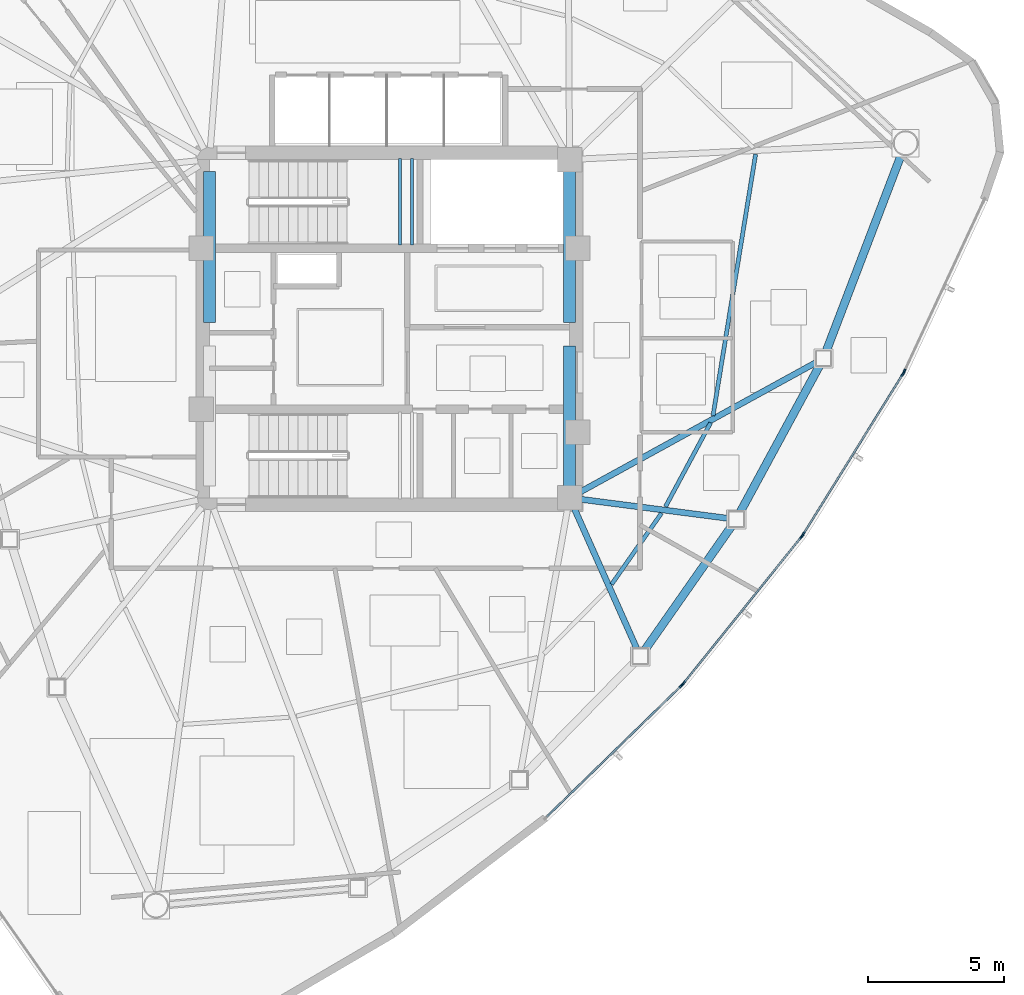
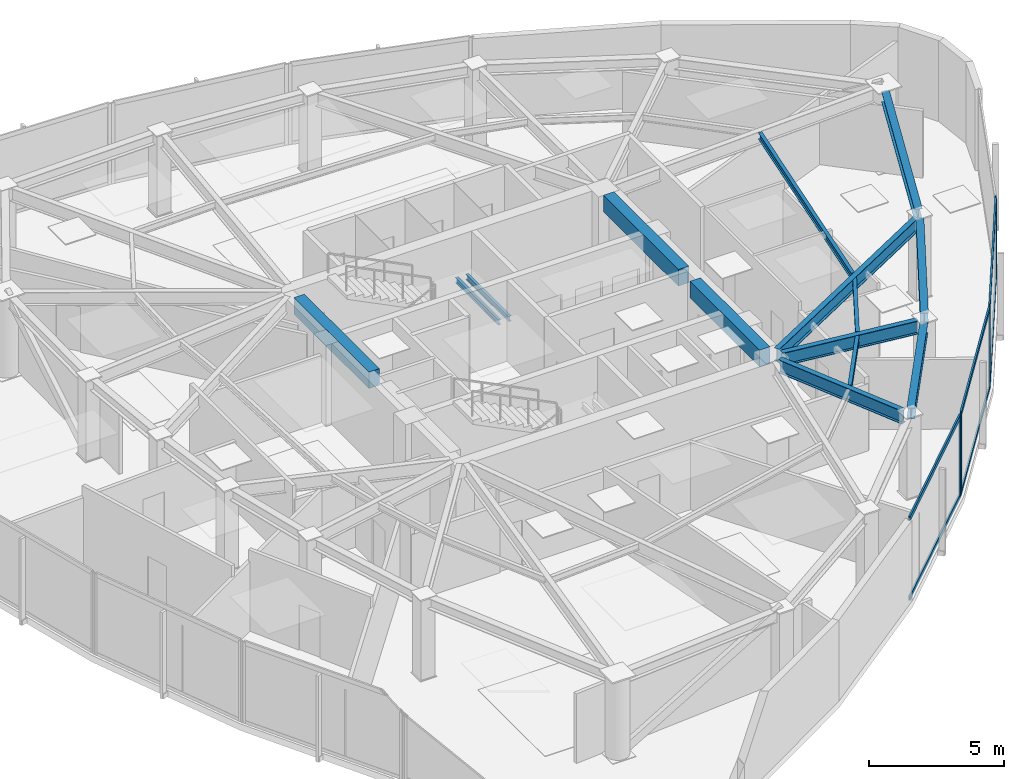
# One storey, part 4 of 13: 14 beams, 12 members, 4 elements without a shape of their own.
"""IFC4 building model written with IfcOpenShell, lengths in metres."""

from ifc_helpers import new_model, si_unit, direction, frame, origin, origin_2d, place, context, subcontext, project, spatial, rectangle, hollow_rectangle, i_section, extrude, source, transform, mapped, material, layer, layer_set, material_profile, profile_set, type_object, type_shapes, element, aggregate, save


model = new_model("IFC4")

# Units and contexts
model_context = context("Model", 3, precision=1e-05, world=origin(), true_north=direction((0.0, 1.0)))
body_context = subcontext(model_context, "Body", "Model", "MODEL_VIEW")
ifc_project = project(units=[si_unit("LENGTHUNIT", "METRE"), si_unit("AREAUNIT", "SQUARE_METRE"), si_unit("VOLUMEUNIT", "CUBIC_METRE"), si_unit("PLANEANGLEUNIT", "RADIAN"), si_unit("MASSUNIT", "GRAM", prefix="KILO")], contexts=[model_context])

# Site, building, storey
site_placement = place(None, origin())
site = spatial("IfcSite", under=ifc_project, at=site_placement, CompositionType="ELEMENT")
building_placement = place(site_placement, origin())
building = spatial("IfcBuilding", under=site, at=building_placement, Name="Tavelor Broadcast Tower", CompositionType="ELEMENT")
storey_placement = place(building_placement, frame((0.0, 0.0, 241.89990234375)))
storey = spatial("IfcBuildingStorey", under=building, at=storey_placement, Name="L57", CompositionType="ELEMENT", Elevation=241.89990234375)

# Beams
ifc_material_1 = material(Name="Concrete C40/50", Category="concrete")
ifc_material_profile_1 = material_profile(ifc_material_1, rectangle(XDim=0.449951171875, YDim=0.75, at=origin_2d()), Name="RC 450x750")
ifc_profile_set_1 = profile_set([ifc_material_profile_1], Name="Concrete C40/50")
beam_type_1 = type_object("IfcBeamType", Name="Basement Core Trim Beam 450x750", PredefinedType="BEAM", material=ifc_profile_set_1)
for number, where, z_axis, x_axis, name in (
    (1, (43.39990234375, 45.23193359375, 3.275146484375), (0.0, 1.0, 0.0), (-1.0, 0.0, 0.0), "L57 Core West-N Tie Girder"),
    (2, (56.60009765625, 45.23193359375, 3.275146484375), (0.0, 1.0, 0.0), (-1.0, 0.0, 0.0), "L57 Core East-N Tie Girder"),
):
    element("IfcBeam", number, at=place(storey_placement, frame(where, z_axis=z_axis, x_axis=x_axis)), inside=storey, type_object=beam_type_1, Name=name, PredefinedType="BEAM", context=body_context, shape_type="SweptSolid", body=[
        extrude(rectangle(XDim=0.449951171875, YDim=0.75, at=origin_2d()), origin(), (0.0, 0.0, 1.0), 5.5361328125),
    ])
beam_1_placement = place(storey_placement, frame((56.60009765625, 39.23193359375, 3.275146484375), z_axis=(0.0, 1.0, 0.0), x_axis=(-1.0, 0.0, 0.0)))
element("IfcBeam", 3, at=beam_1_placement, inside=storey, type_object=beam_type_1, Name="L57 Core East-S Tie Girder", PredefinedType="BEAM", context=body_context, shape_type="SweptSolid", body=[
    extrude(rectangle(XDim=0.449951171875, YDim=0.75, at=origin_2d()), origin(), (0.0, 0.0, 1.0), 5.135986328125),
])
ifc_material_2 = material(Name="Steel S355", Category="steel")
ifc_material_profile_2 = material_profile(ifc_material_2, i_section(OverallWidth=0.14990234375, OverallDepth=0.300048828125, WebThickness=0.007080078125, FlangeThickness=0.0107421875, at=origin_2d()), Name="IPE 300")
ifc_profile_set_2 = profile_set([ifc_material_profile_2], Name="Steel S355")
beam_type_2 = type_object("IfcBeamType", Name="Composite Floor Joist T5 IPE 300", PredefinedType="JOIST", material=ifc_profile_set_2)
beam_2_placement = place(storey_placement, frame((58.1435546875, 35.632568359375, 3.5), z_axis=(0.573982104788, 0.81886784244, 0.0), x_axis=(-0.81886784244, 0.573982104788, 0.0)))
element("IfcBeam", 4, at=beam_2_placement, inside=storey, type_object=beam_type_2, Name="L57 Secondary Composite Floor Joist 10", PredefinedType="JOIST", context=body_context, shape_type="SweptSolid", body=[
    extrude(i_section(OverallWidth=0.14990234375, OverallDepth=0.300048828125, WebThickness=0.007080078125, FlangeThickness=0.0107421875, at=origin_2d()), origin(), (0.0, 0.0, 1.0), 3.183349609375),
])
beam_3_placement = place(storey_placement, frame((60.11669921875, 38.476318359375, 3.5), z_axis=(0.473687126384, 0.880693196464, 0.0), x_axis=(-0.880693196464, 0.473687126384, 0.0)))
element("IfcBeam", 5, at=beam_3_placement, inside=storey, type_object=beam_type_2, Name="L57 Secondary Composite Floor Joist 11", PredefinedType="JOIST", context=body_context, shape_type="SweptSolid", body=[
    extrude(i_section(OverallWidth=0.14990234375, OverallDepth=0.300048828125, WebThickness=0.007080078125, FlangeThickness=0.0107421875, at=origin_2d()), origin(), (0.0, 0.0, 1.0), 3.492919921875),
])
beam_4_placement = place(storey_placement, frame((61.859619140625, 41.812744140625, 3.5), z_axis=(0.160809479217, 0.986985466658, 0.0), x_axis=(-0.986985466658, 0.160809479217, 0.0)))
element("IfcBeam", 6, at=beam_4_placement, inside=storey, type_object=beam_type_2, Name="L57 Secondary Composite Floor Joist 12", PredefinedType="JOIST", context=body_context, shape_type="SweptSolid", body=[
    extrude(i_section(OverallWidth=0.14990234375, OverallDepth=0.300048828125, WebThickness=0.007080078125, FlangeThickness=0.0107421875, at=origin_2d()), origin(), (0.0, 0.0, 1.0), 9.708984375),
])
ifc_material_profile_3 = material_profile(ifc_material_2, i_section(OverallWidth=0.300048828125, OverallDepth=0.489990234375, WebThickness=0.011962890625, FlangeThickness=0.02294921875, at=origin_2d()), Name="HEA 500")
ifc_profile_set_3 = profile_set([ifc_material_profile_3], Name="Steel S355")
beam_type_3 = type_object("IfcBeamType", Name="Perimeter Spandrel Beam T5 HEA 500", PredefinedType="SPANDREL", material=ifc_profile_set_3)
beam_5_placement = place(storey_placement, frame((59.357666015625, 33.222900390625, 3.405029296875), z_axis=(0.573798498873, 0.818996509572, 0.0), x_axis=(-0.818996509572, 0.573798498873, 0.0)))
element("IfcBeam", 7, at=beam_5_placement, inside=storey, type_object=beam_type_3, Name="L57 Framed-Tube Ring Spandrel 10", PredefinedType="SPANDREL", context=body_context, shape_type="SweptSolid", body=[
    extrude(i_section(OverallWidth=0.300048828125, OverallDepth=0.489990234375, WebThickness=0.011962890625, FlangeThickness=0.02294921875, at=origin_2d()), origin(), (0.0, 0.0, 1.0), 5.555908203125),
])
beam_6_placement = place(storey_placement, frame((62.84814453125, 38.26220703125, 3.405029296875), z_axis=(0.476295969148, 0.879285021921, 0.0), x_axis=(-0.879285021921, 0.476295969148, 0.0)))
element("IfcBeam", 8, at=beam_6_placement, inside=storey, type_object=beam_type_3, Name="L57 Framed-Tube Ring Spandrel 11", PredefinedType="SPANDREL", context=body_context, shape_type="SweptSolid", body=[
    extrude(i_section(OverallWidth=0.300048828125, OverallDepth=0.489990234375, WebThickness=0.011962890625, FlangeThickness=0.02294921875, at=origin_2d()), origin(), (0.0, 0.0, 1.0), 6.134521484375),
])
beam_7_placement = place(storey_placement, frame((66.010009765625, 44.178466796875, 3.405029296875), z_axis=(0.356691025332, 0.934222410589, 0.0), x_axis=(-0.934222410589, 0.356691025332, 0.0)))
element("IfcBeam", 9, at=beam_7_placement, inside=storey, type_object=beam_type_3, Name="L57 Framed-Tube Ring Spandrel 12", PredefinedType="SPANDREL", context=body_context, shape_type="SweptSolid", body=[
    extrude(i_section(OverallWidth=0.300048828125, OverallDepth=0.489990234375, WebThickness=0.011962890625, FlangeThickness=0.02294921875, at=origin_2d()), origin(), (0.0, 0.0, 1.0), 7.71875),
])
ifc_material_profile_4 = material_profile(ifc_material_2, i_section(OverallWidth=0.219970703125, OverallDepth=0.60009765625, WebThickness=0.011962890625, FlangeThickness=0.01904296875, at=origin_2d()), Name="IPE 600")
ifc_profile_set_4 = profile_set([ifc_material_profile_4], Name="Steel S355")
beam_type_4 = type_object("IfcBeamType", Name="Radial Floor Girder T5 IPE 600", PredefinedType="BEAM", material=ifc_profile_set_4)
beam_8_placement = place(storey_placement, frame((56.77587890625, 38.405517578125, 3.35009765625), z_axis=(0.407317885502, -0.913286450217, 0.0), x_axis=(0.913286450217, 0.407317885502, 0.0)))
element("IfcBeam", 10, at=beam_8_placement, inside=storey, type_object=beam_type_4, Name="L57 Radial Primary Floor Girder 10", PredefinedType="BEAM", context=body_context, shape_type="SweptSolid", body=[
    extrude(i_section(OverallWidth=0.219970703125, OverallDepth=0.60009765625, WebThickness=0.011962890625, FlangeThickness=0.01904296875, at=origin_2d()), origin(), (0.0, 0.0, 1.0), 5.64501953125),
])
beam_9_placement = place(storey_placement, frame((57.0283203125, 38.74462890625, 3.35009765625), z_axis=(0.991728752797, -0.12835139608, 0.0), x_axis=(0.12835139608, 0.991728752797, 0.0)))
element("IfcBeam", 11, at=beam_9_placement, inside=storey, type_object=beam_type_4, Name="L57 Radial Primary Floor Girder 11", PredefinedType="BEAM", context=body_context, shape_type="SweptSolid", body=[
    extrude(i_section(OverallWidth=0.219970703125, OverallDepth=0.60009765625, WebThickness=0.011962890625, FlangeThickness=0.01904296875, at=origin_2d()), origin(), (0.0, 0.0, 1.0), 5.44189453125),
])
beam_10_placement = place(storey_placement, frame((56.978759765625, 39.0078125, 3.35009765625), z_axis=(0.876594261461, 0.481230195201, 0.0), x_axis=(-0.481230195201, 0.876594261461, 0.0)))
element("IfcBeam", 12, at=beam_10_placement, inside=storey, type_object=beam_type_4, Name="L57 Radial Primary Floor Girder 12", PredefinedType="BEAM", context=body_context, shape_type="SweptSolid", body=[
    extrude(i_section(OverallWidth=0.219970703125, OverallDepth=0.60009765625, WebThickness=0.011962890625, FlangeThickness=0.01904296875, at=origin_2d()), origin(), (0.0, 0.0, 1.0), 9.8974609375),
])
ifc_material_profile_5 = material_profile(ifc_material_2, i_section(OverallWidth=0.1201171875, OverallDepth=0.239990234375, WebThickness=0.006103515625, FlangeThickness=0.009765625, at=origin_2d()), Name="IPE 240")
ifc_profile_set_5 = profile_set([ifc_material_profile_5], Name="Steel S355")
beam_type_5 = type_object("IfcBeamType", Name="Stairwell Landing Support Trimmer Beam IPE240", PredefinedType="BEAM", material=ifc_profile_set_5)
for number, where, z_axis, x_axis, name in (
    (13, (50.385009765625, 48.06005859375, 1.66015625), (0.0, 1.0, 0.0), (-1.0, 0.0, 0.0), "L57 Stair Landing Support Beam 155"),
    (14, (50.824951171875, 48.06005859375, 1.66015625), (0.0, 1.0, 0.0), (-1.0, 0.0, 0.0), "L57 Stair Landing Support Beam 156"),
):
    element("IfcBeam", number, at=place(storey_placement, frame(where, z_axis=z_axis, x_axis=x_axis)), inside=storey, type_object=beam_type_5, Name=name, PredefinedType="BEAM", context=body_context, shape_type="SweptSolid", body=[
        extrude(i_section(OverallWidth=0.1201171875, OverallDepth=0.239990234375, WebThickness=0.006103515625, FlangeThickness=0.009765625, at=origin_2d()), origin(), (0.0, 0.0, 1.0), 3.179931640625),
    ])

# Curtain wall, member
ifc_material_3 = material(Name="Architectural Anodized Aluminium", Category="aluminium")
ifc_layer = layer(ifc_material_3, 0.199951171875)
ifc_layer_set = layer_set([ifc_layer], Name="Architectural Anodized Aluminium")
curtain_wall_type = type_object("IfcCurtainWallType", Name="Tower High-Zone Triple-Glazed Curtain Wall CW04", PredefinedType="NOTDEFINED", material=ifc_layer_set)
curtain_wall_1_placement = place(storey_placement, origin())
curtain_wall_1 = element("IfcCurtainWall", 15, at=curtain_wall_1_placement, inside=storey, type_object=curtain_wall_type, Name="L57 Curtain Wall CW04 Run 617", PredefinedType="NOTDEFINED")
ifc_material_profile_6 = material_profile(ifc_material_3, hollow_rectangle(XDim=0.070068359375, YDim=0.199951171875, WallThickness=0.02197265625, at=origin_2d()), Name="RHS 70x200x22")
ifc_profile_set_6 = profile_set([ifc_material_profile_6], Name="Architectural Anodized Aluminium")
member_type_1 = type_object("IfcMemberType", Name="CW04 Extruded Aluminium Mullion 70x200", PredefinedType="MULLION", material=ifc_profile_set_6)
shared_shape_1 = source(origin(), body_context, "Body", "SweptSolid", [
    extrude(hollow_rectangle(XDim=0.070068359375, YDim=0.199951171875, WallThickness=0.02197265625, at=origin_2d()), origin(), (0.0, 0.0, 1.0), 3.650146484375),
])
type_shapes(member_type_1, [shared_shape_1])
member_1_placement = place(storey_placement, frame((60.70263671875, 31.91796875, 0.0), z_axis=(0.0, 0.0, 1.0), x_axis=(-0.69747352046, 0.716610555502, 0.0)))
member_1 = element("IfcMember", 16, at=member_1_placement, type_object=member_type_1, Name="CW04 mullion 2", PredefinedType="MULLION", context=body_context, shape_type="MappedRepresentation", body=[
    mapped(shared_shape_1, transform((0.0, 0.0, 0.0), scale=1.0)),
])

# Curtain wall, members
curtain_wall_2_placement = place(storey_placement, origin())
curtain_wall_2 = element("IfcCurtainWall", 17, at=curtain_wall_2_placement, inside=storey, type_object=curtain_wall_type, Name="L57 Curtain Wall CW04 Run 618", PredefinedType="NOTDEFINED")
member_2_placement = place(storey_placement, frame((60.769775390625, 31.991943359375, 0.0), z_axis=(0.0, 0.0, 1.0), x_axis=(-0.779071357947, 0.626935259198, 0.0)))
member_2 = element("IfcMember", 18, at=member_2_placement, type_object=member_type_1, Name="CW04 mullion 1", PredefinedType="MULLION", context=body_context, shape_type="MappedRepresentation", body=[
    mapped(shared_shape_1, transform((0.0, 0.0, 0.0), scale=1.0)),
])
member_3_placement = place(storey_placement, frame((65.1064453125, 37.380859375, 0.0), z_axis=(0.0, 0.0, 1.0), x_axis=(-0.779071357947, 0.626935259198, 0.0)))
member_3 = element("IfcMember", 19, at=member_3_placement, type_object=member_type_1, Name="CW04 mullion 2", PredefinedType="MULLION", context=body_context, shape_type="MappedRepresentation", body=[
    mapped(shared_shape_1, transform((0.0, 0.0, 0.0), scale=1.0)),
])

curtain_wall_3_placement = place(storey_placement, origin())
curtain_wall_3 = element("IfcCurtainWall", 20, at=curtain_wall_3_placement, inside=storey, type_object=curtain_wall_type, Name="L57 Curtain Wall CW04 Run 619", PredefinedType="NOTDEFINED")
member_4_placement = place(storey_placement, frame((65.1640625, 37.46240234375, 0.0), z_axis=(0.0, 0.0, 1.0), x_axis=(-0.849201373052, 0.528069150781, 0.0)))
member_4 = element("IfcMember", 21, at=member_4_placement, type_object=member_type_1, Name="CW04 mullion 1", PredefinedType="MULLION", context=body_context, shape_type="MappedRepresentation", body=[
    mapped(shared_shape_1, transform((0.0, 0.0, 0.0), scale=1.0)),
])
member_5_placement = place(storey_placement, frame((68.81689453125, 43.33642578125, 0.0), z_axis=(0.0, 0.0, 1.0), x_axis=(-0.849201373052, 0.528069150781, 0.0)))
member_5 = element("IfcMember", 22, at=member_5_placement, type_object=member_type_1, Name="CW04 mullion 2", PredefinedType="MULLION", context=body_context, shape_type="MappedRepresentation", body=[
    mapped(shared_shape_1, transform((0.0, 0.0, 0.0), scale=1.0)),
])

# Curtain wall, member
curtain_wall_4_placement = place(storey_placement, origin())
curtain_wall_4 = element("IfcCurtainWall", 23, at=curtain_wall_4_placement, inside=storey, type_object=curtain_wall_type, Name="L57 Curtain Wall CW04 Run 620", PredefinedType="NOTDEFINED")
member_6_placement = place(storey_placement, frame((68.8642578125, 43.424072265625, 0.0), z_axis=(0.0, 0.0, 1.0), x_axis=(-0.906868865828, 0.421412933109, 0.0)))
member_6 = element("IfcMember", 24, at=member_6_placement, type_object=member_type_1, Name="CW04 mullion 1", PredefinedType="MULLION", context=body_context, shape_type="MappedRepresentation", body=[
    mapped(shared_shape_1, transform((0.0, 0.0, 0.0), scale=1.0)),
])
aggregate(curtain_wall_4, [member_6])

# Member
ifc_material_profile_7 = material_profile(ifc_material_3, hollow_rectangle(XDim=0.070068359375, YDim=0.199951171875, WallThickness=0.02197265625, at=origin_2d()), Name="RHS 70x200x22")
ifc_profile_set_7 = profile_set([ifc_material_profile_7], Name="Architectural Anodized Aluminium")
member_type_2 = type_object("IfcMemberType", Name="CW04 Extruded Aluminium Transom 70x200", PredefinedType="USERDEFINED", material=ifc_profile_set_7)
shared_shape_2 = source(origin(), body_context, "Body", "SweptSolid", [
    extrude(hollow_rectangle(XDim=0.070068359375, YDim=0.199951171875, WallThickness=0.02197265625, at=origin_2d()), origin(), (0.0, 0.0, 1.0), 6.84716796875),
])
member_7_placement = place(storey_placement, frame((60.791748046875, 32.019287109375, 0.03515625), z_axis=(0.626931822284, 0.779074123693, 0.0), x_axis=(-0.779074123693, 0.626931822284, 0.0)))
member_7 = element("IfcMember", 25, at=member_7_placement, type_object=member_type_2, Name="CW04 transom 1.1", ObjectType="TRANSOM", PredefinedType="USERDEFINED", context=body_context, shape_type="MappedRepresentation", body=[
    mapped(shared_shape_2, transform((0.0, 0.0, 0.0), scale=1.0)),
])

member_8_placement = place(storey_placement, frame((60.791748046875, 32.019287109375, 3.614990234375), z_axis=(0.626931822284, 0.779074123693, 0.0), x_axis=(-0.779074123693, 0.626931822284, 0.0)))
member_8 = element("IfcMember", 26, at=member_8_placement, type_object=member_type_2, Name="CW04 transom 1.2", ObjectType="TRANSOM", PredefinedType="USERDEFINED", context=body_context, shape_type="MappedRepresentation", body=[
    mapped(shared_shape_2, transform((0.0, 0.0, 0.0), scale=1.0)),
])

aggregate(curtain_wall_2, [member_2, member_3, member_7, member_8])

member_9_placement = place(storey_placement, frame((65.1826171875, 37.491943359375, 0.03515625), z_axis=(0.52805853413, 0.84920797484, 0.0), x_axis=(-0.84920797484, 0.52805853413, 0.0)))
member_9 = element("IfcMember", 27, at=member_9_placement, type_object=member_type_2, Name="CW04 transom 1.1", ObjectType="TRANSOM", PredefinedType="USERDEFINED", context=body_context, shape_type="MappedRepresentation", body=[
    mapped(shared_shape_2, transform((0.0, 0.0, 0.0), scale=1.0)),
])

member_10_placement = place(storey_placement, frame((65.1826171875, 37.491943359375, 3.614990234375), z_axis=(0.52805853413, 0.84920797484, 0.0), x_axis=(-0.84920797484, 0.52805853413, 0.0)))
member_10 = element("IfcMember", 28, at=member_10_placement, type_object=member_type_2, Name="CW04 transom 1.2", ObjectType="TRANSOM", PredefinedType="USERDEFINED", context=body_context, shape_type="MappedRepresentation", body=[
    mapped(shared_shape_2, transform((0.0, 0.0, 0.0), scale=1.0)),
])

aggregate(curtain_wall_3, [member_4, member_5, member_9, member_10])

shared_shape_3 = source(origin(), body_context, "Body", "SweptSolid", [
    extrude(hollow_rectangle(XDim=0.070068359375, YDim=0.199951171875, WallThickness=0.02197265625, at=origin_2d()), origin(), (0.0, 0.0, 1.0), 6.8623046875),
])
type_shapes(member_type_2, [shared_shape_2, shared_shape_3])
member_11_placement = place(storey_placement, frame((55.760009765625, 27.107421875, 0.03515625), z_axis=(0.71659471668, 0.697489793492, 0.0), x_axis=(-0.697489793492, 0.71659471668, 0.0)))
member_11 = element("IfcMember", 29, at=member_11_placement, type_object=member_type_2, Name="CW04 transom 1.1", ObjectType="TRANSOM", PredefinedType="USERDEFINED", context=body_context, shape_type="MappedRepresentation", body=[
    mapped(shared_shape_3, transform((0.0, 0.0, 0.0), scale=1.0)),
])

member_12_placement = place(storey_placement, frame((55.760009765625, 27.107421875, 3.614990234375), z_axis=(0.71659471668, 0.697489793492, 0.0), x_axis=(-0.697489793492, 0.71659471668, 0.0)))
member_12 = element("IfcMember", 30, at=member_12_placement, type_object=member_type_2, Name="CW04 transom 1.2", ObjectType="TRANSOM", PredefinedType="USERDEFINED", context=body_context, shape_type="MappedRepresentation", body=[
    mapped(shared_shape_3, transform((0.0, 0.0, 0.0), scale=1.0)),
])

aggregate(curtain_wall_1, [member_1, member_11, member_12])

save(model, "model.ifc")
